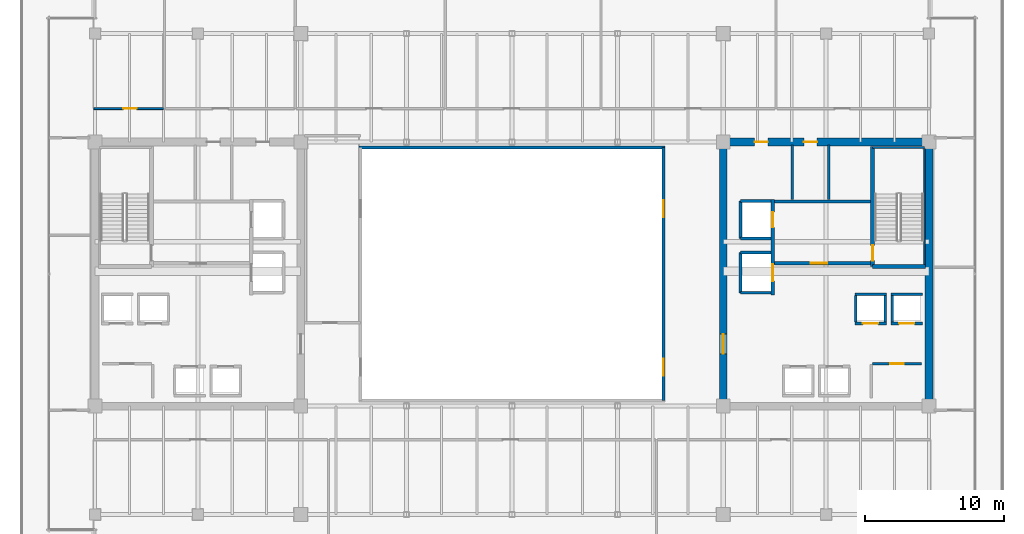
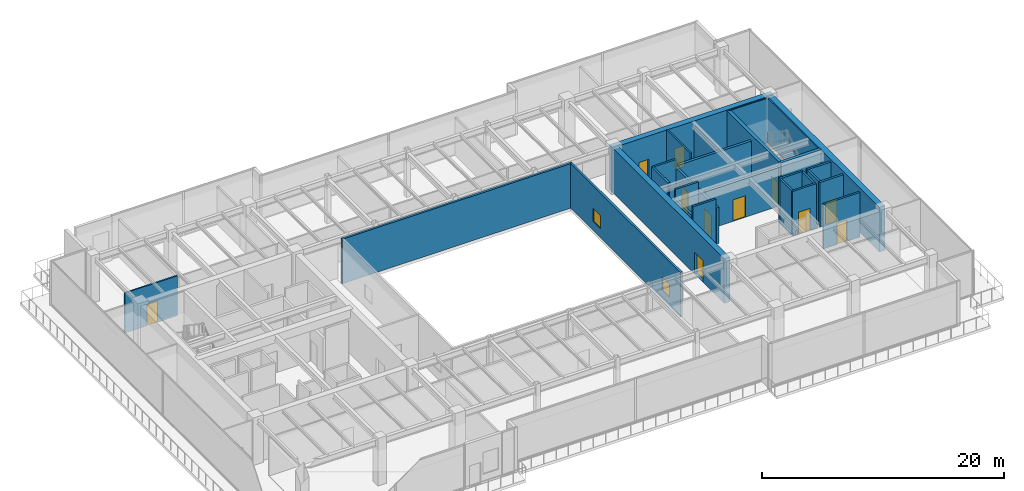
# One storey, part 30 of 37: 29 walls, 11 doors, 2 windows, 13 openings.
"""IFC4 building model written with IfcOpenShell, lengths in metres."""

from ifc_helpers import new_model, si_unit, direction, frame, frame_2d, origin, place, context, subcontext, project, spatial, rectangle, extrude, source, transform, mapped, material, layer, layer_set, type_object, type_shapes, element, fill, save


model = new_model("IFC4")

# Units and contexts
model_context = context("Model", 3, precision=1e-05, world=origin(), true_north=direction((0.0, 1.0)))
body_context = subcontext(model_context, "Body", "Model", "MODEL_VIEW")
ifc_project = project(units=[si_unit("LENGTHUNIT", "METRE"), si_unit("AREAUNIT", "SQUARE_METRE"), si_unit("VOLUMEUNIT", "CUBIC_METRE"), si_unit("PLANEANGLEUNIT", "RADIAN"), si_unit("MASSUNIT", "GRAM", prefix="KILO")], contexts=[model_context])

# Site, building, storey
site_placement = place(None, origin())
site = spatial("IfcSite", under=ifc_project, at=site_placement, CompositionType="ELEMENT")
building_placement = place(site_placement, origin())
building = spatial("IfcBuilding", under=site, at=building_placement, Name="Haelvirn Gate Laboratories", CompositionType="ELEMENT")
storey_placement = place(building_placement, frame((0.0, 0.0, 196.60009765625)))
storey = spatial("IfcBuildingStorey", under=building, at=storey_placement, Name="L47", CompositionType="ELEMENT", Elevation=196.60009765625)

# Wall, openings, windows
ifc_material_1 = material(Name="Tempered fire-rated borosilicate glass & anodised aluminium", Category="aluminium")
ifc_layer_1 = layer(ifc_material_1, 0.195068359375, Name="IW-GLAZ-200")
ifc_layer_set_1 = layer_set([ifc_layer_1], Name="Tempered fire-rated borosilicate glass & anodised aluminium")
wall_type_1 = type_object("IfcWallType", Name="IW-GLAZ-200", PredefinedType="SOLIDWALL", material=ifc_layer_set_1)
wall_1_placement = place(storey_placement, frame((48.300048828125, 15.199951171875, 0.0), z_axis=(0.0, 0.0, 1.0), x_axis=(0.0, 1.0, 0.0)))
wall_1 = element("IfcWall", 1, at=wall_1_placement, inside=storey, type_object=wall_type_1, Name="L47 Interior Wall IW-L47-ATRIUM-E", PredefinedType="SOLIDWALL", context=body_context, shape_type="SweptSolid", body=[
    extrude(rectangle(XDim=18.199951171875, YDim=0.195068359375, at=frame_2d((9.10009765625, 0.0))), origin(), (0.0, 0.0, 1.0), 4.5),
])
opening_1_placement = place(wall_1_placement, frame((1.800048828125, 0.0, 0.89990234375)))
opening_1 = element("IfcOpeningElement", 2, at=opening_1_placement, cuts=wall_1, Name="Opening W6", PredefinedType="OPENING", context=body_context, shape_type="SweptSolid", body=[
    extrude(rectangle(XDim=1.199951171875, YDim=1.35009765625, at=frame_2d((0.60009765625, 0.675048828125))), frame((0.0, 0.107421875, 0.0), z_axis=(0.0, -1.0, 0.0), x_axis=(1.0, 0.0, 0.0)), (0.0, 0.0, 1.0), 0.215087890625),
])
opening_2_placement = place(wall_1_placement, frame((13.199951171875, 0.0, 0.89990234375)))
opening_2 = element("IfcOpeningElement", 3, at=opening_2_placement, cuts=wall_1, Name="Opening W6", PredefinedType="OPENING", context=body_context, shape_type="SweptSolid", body=[
    extrude(rectangle(XDim=1.199951171875, YDim=1.35009765625, at=frame_2d((0.60009765625, 0.675048828125))), frame((0.0, 0.107421875, 0.0), z_axis=(0.0, -1.0, 0.0), x_axis=(1.0, 0.0, 0.0)), (0.0, 0.0, 1.0), 0.215087890625),
])
ifc_material_2 = material(Name="Fire-rated EI 120 borosilicate atrium vision glazing", Category="glass")
window_type = type_object("IfcWindowType", Name="WN-ATR-1200", PartitioningType="SINGLE_PANEL", PredefinedType="WINDOW", material=ifc_material_2)
shared_shape_1 = source(origin(), body_context, "Body", "SweptSolid", [
    extrude(rectangle(XDim=1.199951171875, YDim=1.35009765625, at=frame_2d((0.60009765625, 0.675048828125))), frame((0.0, 0.030029296875, 0.0), z_axis=(0.0, -1.0, 0.0), x_axis=(1.0, 0.0, 0.0)), (0.0, 0.0, 1.0), 0.06005859375),
])
type_shapes(window_type, [shared_shape_1])
window_1_placement = place(opening_1_placement, origin())
window_1 = element("IfcWindow", 4, at=window_1_placement, inside=storey, type_object=window_type, Name="L47 Atrium Observation Window 1", OverallHeight=1.35009765625, OverallWidth=1.199951171875, PartitioningType="SINGLE_PANEL", PredefinedType="WINDOW", context=body_context, shape_type="MappedRepresentation", body=[
    mapped(shared_shape_1, transform((0.0, 0.0, 0.0), scale=1.0)),
])
fill(opening_1, window_1)
window_2_placement = place(opening_2_placement, origin())
window_2 = element("IfcWindow", 5, at=window_2_placement, inside=storey, type_object=window_type, Name="L47 Atrium Observation Window 2", OverallHeight=1.35009765625, OverallWidth=1.199951171875, PartitioningType="SINGLE_PANEL", PredefinedType="WINDOW", context=body_context, shape_type="MappedRepresentation", body=[
    mapped(shared_shape_1, transform((0.0, 0.0, 0.0), scale=1.0)),
])
fill(opening_2, window_2)

# Wall
wall_2_placement = place(storey_placement, frame((26.39990234375, 33.39990234375, 0.0), z_axis=(0.0, 0.0, 1.0), x_axis=(1.0, 0.0, 0.0)))
element("IfcWall", 6, at=wall_2_placement, inside=storey, type_object=wall_type_1, Name="L47 Interior Wall IW-L47-ATRIUM-N", PredefinedType="SOLIDWALL", context=body_context, shape_type="SweptSolid", body=[
    extrude(rectangle(XDim=22.0, YDim=0.195068359375, at=frame_2d((11.0, 0.0))), origin(), (0.0, 0.0, 1.0), 4.5),
])

# Wall, opening, door
ifc_material_3 = material(Name="Acoustic mineral-wool gypsum board partition", Category="gypsum")
ifc_layer_2 = layer(ifc_material_3, 0.139892578125, Name="IW-PART-140")
ifc_layer_set_2 = layer_set([ifc_layer_2], Name="Acoustic mineral-wool gypsum board partition")
wall_type_2 = type_object("IfcWallType", Name="IW-PART-140", PredefinedType="PARTITIONING", material=ifc_layer_set_2)
wall_3_placement = place(storey_placement, frame((7.31005859375, 36.2099609375, 0.0), z_axis=(0.0, 0.0, 1.0), x_axis=(1.0, 0.0, 0.0)))
wall_3 = element("IfcWall", 7, at=wall_3_placement, inside=storey, type_object=wall_type_2, Name="L47 Interior Wall IW-L47-NCORR-01", PredefinedType="PARTITIONING", context=body_context, shape_type="SweptSolid", body=[
    extrude(rectangle(XDim=5.010009765625, YDim=0.139892578125, at=frame_2d((2.5048828125, 0.0))), origin(), (0.0, 0.0, 1.0), 4.034912109375),
])
opening_3_placement = place(wall_3_placement, frame((2.104248046875, 0.0, 0.0)))
opening_3 = element("IfcOpeningElement", 8, at=opening_3_placement, cuts=wall_3, Name="Opening D2", PredefinedType="OPENING", context=body_context, shape_type="SweptSolid", body=[
    extrude(rectangle(XDim=1.0, YDim=2.14990234375, at=frame_2d((0.5, 1.074951171875))), frame((0.0, 0.080078125, 0.0), z_axis=(0.0, -1.0, 0.0), x_axis=(1.0, 0.0, 0.0)), (0.0, 0.0, 1.0), 0.159912109375),
])
ifc_material_4 = material(Name="Acoustic solid-core timber suite door", Category="wood")
door_type_1 = type_object("IfcDoorType", Name="DR-INT-1000", OperationType="NOTDEFINED", PredefinedType="DOOR", material=ifc_material_4)
shared_shape_2 = source(origin(), body_context, "Body", "SweptSolid", [
    extrude(rectangle(XDim=1.0, YDim=2.14990234375, at=frame_2d((0.5, 1.074951171875))), frame((0.0, 0.02490234375, 0.0), z_axis=(0.0, -1.0, 0.0), x_axis=(1.0, 0.0, 0.0)), (0.0, 0.0, 1.0), 0.050048828125),
])
type_shapes(door_type_1, [shared_shape_2])
door_1_placement = place(opening_3_placement, origin())
door_1 = element("IfcDoor", 9, at=door_1_placement, inside=storey, type_object=door_type_1, Name="L47 Sky Terrace Research Commons Door N1", OperationType="SINGLE_SWING_LEFT", OverallHeight=2.14990234375, OverallWidth=1.0, PredefinedType="DOOR", context=body_context, shape_type="MappedRepresentation", body=[
    mapped(shared_shape_2, transform((0.0, 0.0, 0.0), scale=1.0)),
])
fill(opening_3, door_1)

# Walls
ifc_material_5 = material(Name="Cement-board restroom plumbing chase wall", Category="gypsum")
ifc_layer_3 = layer(ifc_material_5, 0.155029296875, Name="IW-PLUMB-160")
ifc_layer_set_3 = layer_set([ifc_layer_3], Name="Cement-board restroom plumbing chase wall")
wall_type_3 = type_object("IfcWallType", Name="IW-PLUMB-160", PredefinedType="PLUMBINGWALL", material=ifc_layer_set_3)
wall_4_placement = place(storey_placement, frame((60.18994140625, 29.64990234375, 0.0), z_axis=(0.0, 0.0, 1.0), x_axis=(0.0, 1.0, 0.0)))
element("IfcWall", 10, at=wall_4_placement, inside=storey, type_object=wall_type_3, Name="L47 Interior Wall IW-L47-E-CDIV-0", PredefinedType="PLUMBINGWALL", context=body_context, shape_type="SweptSolid", body=[
    extrude(rectangle(XDim=3.93017578125, YDim=0.155029296875, at=frame_2d((1.965087890625, 0.0))), origin(), (0.0, 0.0, 1.0), 3.89697265625),
])
wall_5_placement = place(storey_placement, frame((57.56005859375, 29.64990234375, 0.0), z_axis=(0.0, 0.0, 1.0), x_axis=(0.0, 1.0, 0.0)))
element("IfcWall", 11, at=wall_5_placement, inside=storey, type_object=wall_type_3, Name="L47 Interior Wall IW-L47-E-CDIV-1", PredefinedType="PLUMBINGWALL", context=body_context, shape_type="SweptSolid", body=[
    extrude(rectangle(XDim=3.93017578125, YDim=0.155029296875, at=frame_2d((1.965087890625, 0.0))), origin(), (0.0, 0.0, 1.0), 4.5),
])
ifc_material_6 = material(Name="Concrete C40/50", Category="concrete")
ifc_layer_4 = layer(ifc_material_6, 0.179931640625, Name="IW-SHAFT-180")
ifc_layer_set_4 = layer_set([ifc_layer_4], Name="Concrete C40/50")
wall_type_4 = type_object("IfcWallType", Name="IW-SHAFT-180", PredefinedType="SOLIDWALL", material=ifc_layer_set_4)
for number, where, z_axis, x_axis, name in (
    (12, (64.75, 20.85009765625, 0.0), (0.0, 0.0, 1.0), (0.0, 1.0, 0.0), "L47 Interior Wall IW-L47-PL11-SD"),
    (13, (62.14990234375, 20.85009765625, 0.0), (0.0, 0.0, 1.0), (0.0, 1.0, 0.0), "L47 Interior Wall IW-L47-PL12-SD"),
    (14, (64.25, 20.85009765625, 0.0), (0.0, 0.0, 1.0), (0.0, 1.0, 0.0), "L47 Interior Wall IW-L47-PL12-SDE"),
):
    element("IfcWall", number, at=place(storey_placement, frame(where, z_axis=z_axis, x_axis=x_axis)), inside=storey, type_object=wall_type_4, Name=name, PredefinedType="SOLIDWALL", context=body_context, shape_type="SweptSolid", body=[
        extrude(rectangle(XDim=1.89990234375, YDim=0.179931640625, at=frame_2d((0.949951171875, 0.0))), origin(), (0.0, 0.0, 1.0), 4.5),
    ])

# Wall, opening, door
wall_6_placement = place(storey_placement, frame((63.35009765625, 17.85009765625, 0.0), z_axis=(0.0, 0.0, 1.0), x_axis=(1.0, 0.0, 0.0)))
wall_6 = element("IfcWall", 15, at=wall_6_placement, inside=storey, type_object=wall_type_4, Name="L47 Interior Wall IW-L47-E-FREED-LN-1", PredefinedType="SOLIDWALL", context=body_context, shape_type="SweptSolid", body=[
    extrude(rectangle(XDim=3.5, YDim=0.179931640625, at=frame_2d((1.75, 0.0))), origin(), (0.0, 0.0, 1.0), 4.5),
])
opening_4_placement = place(wall_6_placement, frame((1.27490234375, 0.0, 0.0)))
opening_4 = element("IfcOpeningElement", 16, at=opening_4_placement, cuts=wall_6, Name="Opening FD4", PredefinedType="OPENING", context=body_context, shape_type="SweptSolid", body=[
    extrude(rectangle(XDim=0.949951171875, YDim=2.14990234375, at=frame_2d((0.47509765625, 1.074951171875))), frame((0.0, 0.10009765625, 0.0), z_axis=(0.0, -1.0, 0.0), x_axis=(1.0, 0.0, 0.0)), (0.0, 0.0, 1.0), 0.199951171875),
])
ifc_material_7 = material(Name="Fire-rated steel SM355 core service door", Category="steel")
door_type_2 = type_object("IfcDoorType", Name="DR-FD-950", OperationType="NOTDEFINED", PredefinedType="DOOR", material=ifc_material_7)
shared_shape_3 = source(origin(), body_context, "Body", "SweptSolid", [
    extrude(rectangle(XDim=0.949951171875, YDim=2.14990234375, at=frame_2d((0.47509765625, 1.074951171875))), frame((0.0, 0.02490234375, 0.0), z_axis=(0.0, -1.0, 0.0), x_axis=(1.0, 0.0, 0.0)), (0.0, 0.0, 1.0), 0.050048828125),
])
type_shapes(door_type_2, [shared_shape_3])
door_2_placement = place(opening_4_placement, origin())
door_2 = element("IfcDoor", 17, at=door_2_placement, inside=storey, type_object=door_type_2, Name="L47 Core Calibration Room Door", OperationType="SINGLE_SWING_LEFT", OverallHeight=2.14990234375, OverallWidth=0.949951171875, PredefinedType="DOOR", context=body_context, shape_type="MappedRepresentation", body=[
    mapped(shared_shape_3, transform((0.0, 0.0, 0.0), scale=1.0)),
])
fill(opening_4, door_2)

ifc_layer_5 = layer(ifc_material_6, 0.199951171875, Name="IW-SHAFT-200")
ifc_layer_set_5 = layer_set([ifc_layer_5], Name="Concrete C40/50")
wall_type_5 = type_object("IfcWallType", Name="IW-SHAFT-200", PredefinedType="SOLIDWALL", material=ifc_layer_set_5)
wall_7_placement = place(storey_placement, frame((64.669921875, 20.75, 0.0), z_axis=(0.0, 0.0, 1.0), x_axis=(1.0, 0.0, 0.0)))
wall_7 = element("IfcWall", 18, at=wall_7_placement, inside=storey, type_object=wall_type_5, Name="L47 Interior Wall IW-L47-PL11-FR", PredefinedType="SOLIDWALL", context=body_context, shape_type="SweptSolid", body=[
    extrude(rectangle(XDim=2.260009765625, YDim=0.199951171875, at=frame_2d((1.1298828125, 0.0))), origin(), (0.0, 0.0, 1.0), 4.5),
])
opening_5_placement = place(wall_7_placement, frame((0.580078125, 0.0, 0.0)))
opening_5 = element("IfcOpeningElement", 19, at=opening_5_placement, cuts=wall_7, Name="Opening LD2", PredefinedType="OPENING", context=body_context, shape_type="SweptSolid", body=[
    extrude(rectangle(XDim=1.10009765625, YDim=2.219970703125, at=frame_2d((0.550048828125, 1.10986328125))), frame((0.0, 0.10986328125, 0.0), z_axis=(0.0, -1.0, 0.0), x_axis=(1.0, 0.0, 0.0)), (0.0, 0.0, 1.0), 0.219970703125),
])
ifc_material_8 = material(Name="Bronze stainless 316L sliding lift landing door")
door_type_3 = type_object("IfcDoorType", Name="DR-LD-1100", OperationType="NOTDEFINED", PredefinedType="USERDEFINED", material=ifc_material_8)
shared_shape_4 = source(origin(), body_context, "Body", "SweptSolid", [
    extrude(rectangle(XDim=1.10009765625, YDim=2.219970703125, at=frame_2d((0.550048828125, 1.10986328125))), frame((0.0, 0.02490234375, 0.0), z_axis=(0.0, -1.0, 0.0), x_axis=(1.0, 0.0, 0.0)), (0.0, 0.0, 1.0), 0.050048828125),
])
type_shapes(door_type_3, [shared_shape_4])
door_3_placement = place(opening_5_placement, origin())
door_3 = element("IfcDoor", 20, at=door_3_placement, inside=storey, type_object=door_type_3, Name="L47 Passenger Lift PL11 Landing Door", ObjectType="LANDING_DOOR", OperationType="SLIDING_TO_LEFT", OverallHeight=2.219970703125, OverallWidth=1.10009765625, PredefinedType="USERDEFINED", context=body_context, shape_type="MappedRepresentation", body=[
    mapped(shared_shape_4, transform((0.0, 0.0, 0.0), scale=1.0)),
])
fill(opening_5, door_3)

# Wall
wall_8_placement = place(storey_placement, frame((64.669921875, 22.85009765625, 0.0), z_axis=(0.0, 0.0, 1.0), x_axis=(1.0, 0.0, 0.0)))
element("IfcWall", 21, at=wall_8_placement, inside=storey, type_object=wall_type_5, Name="L47 Interior Wall IW-L47-PL11-BK", PredefinedType="SOLIDWALL", context=body_context, shape_type="SweptSolid", body=[
    extrude(rectangle(XDim=2.260009765625, YDim=0.199951171875, at=frame_2d((1.1298828125, 0.0))), origin(), (0.0, 0.0, 1.0), 4.5),
])

# Wall, opening, door
wall_9_placement = place(storey_placement, frame((62.070068359375, 20.75, 0.0), z_axis=(0.0, 0.0, 1.0), x_axis=(1.0, 0.0, 0.0)))
wall_9 = element("IfcWall", 22, at=wall_9_placement, inside=storey, type_object=wall_type_5, Name="L47 Interior Wall IW-L47-PL12-FR", PredefinedType="SOLIDWALL", context=body_context, shape_type="SweptSolid", body=[
    extrude(rectangle(XDim=2.260009765625, YDim=0.199951171875, at=frame_2d((1.1298828125, 0.0))), origin(), (0.0, 0.0, 1.0), 4.5),
])
opening_6_placement = place(wall_9_placement, frame((0.580078125, 0.0, 0.0)))
opening_6 = element("IfcOpeningElement", 23, at=opening_6_placement, cuts=wall_9, Name="Opening LD2", PredefinedType="OPENING", context=body_context, shape_type="SweptSolid", body=[
    extrude(rectangle(XDim=1.10009765625, YDim=2.219970703125, at=frame_2d((0.550048828125, 1.10986328125))), frame((0.0, 0.10986328125, 0.0), z_axis=(0.0, -1.0, 0.0), x_axis=(1.0, 0.0, 0.0)), (0.0, 0.0, 1.0), 0.219970703125),
])
door_4_placement = place(opening_6_placement, origin())
door_4 = element("IfcDoor", 24, at=door_4_placement, inside=storey, type_object=door_type_3, Name="L47 Passenger Lift PL12 Landing Door", ObjectType="LANDING_DOOR", OperationType="SLIDING_TO_RIGHT", OverallHeight=2.219970703125, OverallWidth=1.10009765625, PredefinedType="USERDEFINED", context=body_context, shape_type="MappedRepresentation", body=[
    mapped(shared_shape_4, transform((0.0, 0.0, 0.0), scale=1.0)),
])
fill(opening_6, door_4)

# Walls
wall_10_placement = place(storey_placement, frame((62.070068359375, 22.85009765625, 0.0), z_axis=(0.0, 0.0, 1.0), x_axis=(1.0, 0.0, 0.0)))
element("IfcWall", 25, at=wall_10_placement, inside=storey, type_object=wall_type_5, Name="L47 Interior Wall IW-L47-PL12-BK", PredefinedType="SOLIDWALL", context=body_context, shape_type="SweptSolid", body=[
    extrude(rectangle(XDim=2.260009765625, YDim=0.199951171875, at=frame_2d((1.1298828125, 0.0))), origin(), (0.0, 0.0, 1.0), 4.5),
])
wall_11_placement = place(storey_placement, frame((53.85009765625, 26.85009765625, 0.0), z_axis=(0.0, 0.0, 1.0), x_axis=(0.0, 1.0, 0.0)))
element("IfcWall", 26, at=wall_11_placement, inside=storey, type_object=wall_type_5, Name="L47 Interior Wall IW-L47-FL2-BK", PredefinedType="SOLIDWALL", context=body_context, shape_type="SweptSolid", body=[
    extrude(rectangle(XDim=2.699951171875, YDim=0.199951171875, at=frame_2d((1.35009765625, 0.0))), origin(), (0.0, 0.0, 1.0), 4.5),
])
wall_12_placement = place(storey_placement, frame((53.85009765625, 29.550048828125, 0.0), z_axis=(0.0, 0.0, 1.0), x_axis=(1.0, 0.0, 0.0)))
element("IfcWall", 27, at=wall_12_placement, inside=storey, type_object=wall_type_5, Name="L47 Interior Wall IW-L47-FL2-N", PredefinedType="SOLIDWALL", context=body_context, shape_type="SweptSolid", body=[
    extrude(rectangle(XDim=2.18994140625, YDim=0.199951171875, at=frame_2d((1.094970703125, 0.0))), origin(), (0.0, 0.0, 1.0), 4.5),
])
wall_13_placement = place(storey_placement, frame((53.85009765625, 26.85009765625, 0.0), z_axis=(0.0, 0.0, 1.0), x_axis=(1.0, 0.0, 0.0)))
element("IfcWall", 28, at=wall_13_placement, inside=storey, type_object=wall_type_5, Name="L47 Interior Wall IW-L47-FL2-S", PredefinedType="SOLIDWALL", context=body_context, shape_type="SweptSolid", body=[
    extrude(rectangle(XDim=2.18994140625, YDim=0.199951171875, at=frame_2d((1.094970703125, 0.0))), origin(), (0.0, 0.0, 1.0), 3.89697265625),
])
wall_14_placement = place(storey_placement, frame((53.85009765625, 22.949951171875, 0.0), z_axis=(0.0, 0.0, 1.0), x_axis=(0.0, 1.0, 0.0)))
element("IfcWall", 29, at=wall_14_placement, inside=storey, type_object=wall_type_5, Name="L47 Interior Wall IW-L47-SL2-BK", PredefinedType="SOLIDWALL", context=body_context, shape_type="SweptSolid", body=[
    extrude(rectangle(XDim=2.900146484375, YDim=0.199951171875, at=frame_2d((1.4501953125, 0.0))), origin(), (0.0, 0.0, 1.0), 3.635009765625),
])
for number, where, z_axis, x_axis, name in (
    (30, (53.85009765625, 25.85009765625, 0.0), (0.0, 0.0, 1.0), (1.0, 0.0, 0.0), "L47 Interior Wall IW-L47-SL2-N"),
    (31, (53.85009765625, 22.949951171875, 0.0), (0.0, 0.0, 1.0), (1.0, 0.0, 0.0), "L47 Interior Wall IW-L47-SL2-S"),
):
    element("IfcWall", number, at=place(storey_placement, frame(where, z_axis=z_axis, x_axis=x_axis)), inside=storey, type_object=wall_type_5, Name=name, PredefinedType="SOLIDWALL", context=body_context, shape_type="SweptSolid", body=[
        extrude(rectangle(XDim=2.18994140625, YDim=0.199951171875, at=frame_2d((1.094970703125, 0.0))), origin(), (0.0, 0.0, 1.0), 4.5),
    ])

# Wall, opening, door
ifc_layer_6 = layer(ifc_material_6, 0.239990234375, Name="IW-SHAFT-240")
ifc_layer_set_6 = layer_set([ifc_layer_6], Name="Concrete C40/50")
wall_type_6 = type_object("IfcWallType", Name="IW-SHAFT-240", PredefinedType="SOLIDWALL", material=ifc_layer_set_6)
wall_15_placement = place(storey_placement, frame((56.280029296875, 25.080078125, 0.0), z_axis=(0.0, 0.0, 1.0), x_axis=(1.0, 0.0, 0.0)))
wall_15 = element("IfcWall", 32, at=wall_15_placement, inside=storey, type_object=wall_type_6, Name="L47 Interior Wall IW-L47-E-FF-S", PredefinedType="SOLIDWALL", context=body_context, shape_type="SweptSolid", body=[
    extrude(rectangle(XDim=6.919921875, YDim=0.239990234375, at=frame_2d((3.4599609375, 0.0))), origin(), (0.0, 0.0, 1.0), 3.89697265625),
])
opening_7_placement = place(wall_15_placement, frame((2.60009765625, 0.0, 0.0)))
opening_7 = element("IfcOpeningElement", 33, at=opening_7_placement, cuts=wall_15, Name="Opening FD2", PredefinedType="OPENING", context=body_context, shape_type="SweptSolid", body=[
    extrude(rectangle(XDim=1.199951171875, YDim=2.159912109375, at=frame_2d((0.60009765625, 1.080078125))), frame((0.0, 0.1298828125, 0.0), z_axis=(0.0, -1.0, 0.0), x_axis=(1.0, 0.0, 0.0)), (0.0, 0.0, 1.0), 0.260009765625),
])
ifc_material_9 = material(Name="Fire-rated steel SM355 compartment door", Category="steel")
door_type_4 = type_object("IfcDoorType", Name="DR-FD-1200", OperationType="NOTDEFINED", PredefinedType="DOOR", material=ifc_material_9)
shared_shape_5 = source(origin(), body_context, "Body", "SweptSolid", [
    extrude(rectangle(XDim=1.199951171875, YDim=2.159912109375, at=frame_2d((0.60009765625, 1.080078125))), frame((0.0, 0.02490234375, 0.0), z_axis=(0.0, -1.0, 0.0), x_axis=(1.0, 0.0, 0.0)), (0.0, 0.0, 1.0), 0.050048828125),
])
type_shapes(door_type_4, [shared_shape_5])
door_5_placement = place(opening_7_placement, origin())
door_5 = element("IfcDoor", 34, at=door_5_placement, inside=storey, type_object=door_type_4, Name="L47 East Firefighting Lobby Door", OperationType="SINGLE_SWING_LEFT", OverallHeight=2.159912109375, OverallWidth=1.199951171875, PredefinedType="DOOR", context=body_context, shape_type="MappedRepresentation", body=[
    mapped(shared_shape_5, transform((0.0, 0.0, 0.0), scale=1.0)),
])
fill(opening_7, door_5)

# Wall
wall_16_placement = place(storey_placement, frame((56.280029296875, 29.52001953125, 0.0), z_axis=(0.0, 0.0, 1.0), x_axis=(1.0, 0.0, 0.0)))
element("IfcWall", 35, at=wall_16_placement, inside=storey, type_object=wall_type_6, Name="L47 Interior Wall IW-L47-E-FF-N", PredefinedType="SOLIDWALL", context=body_context, shape_type="SweptSolid", body=[
    extrude(rectangle(XDim=6.919921875, YDim=0.239990234375, at=frame_2d((3.4599609375, 0.0))), origin(), (0.0, 0.0, 1.0), 3.89697265625),
])

# Wall, openings, doors
wall_17_placement = place(storey_placement, frame((56.159912109375, 22.800048828125, 0.0), z_axis=(0.0, 0.0, 1.0), x_axis=(0.0, 1.0, 0.0)))
wall_17 = element("IfcWall", 36, at=wall_17_placement, inside=storey, type_object=wall_type_6, Name="L47 Interior Wall IW-L47-E-FF-E", PredefinedType="SOLIDWALL", context=body_context, shape_type="SweptSolid", body=[
    extrude(rectangle(XDim=6.849853515625, YDim=0.239990234375, at=frame_2d((3.4248046875, 0.0))), origin(), (0.0, 0.0, 1.0), 3.635009765625),
])
opening_8_placement = place(wall_17_placement, frame((4.85009765625, 0.0, 0.0)))
opening_8 = element("IfcOpeningElement", 37, at=opening_8_placement, cuts=wall_17, Name="Opening LD2", PredefinedType="OPENING", context=body_context, shape_type="SweptSolid", body=[
    extrude(rectangle(XDim=1.10009765625, YDim=2.219970703125, at=frame_2d((0.550048828125, 1.10986328125))), frame((0.0, 0.1298828125, 0.0), z_axis=(0.0, -1.0, 0.0), x_axis=(1.0, 0.0, 0.0)), (0.0, 0.0, 1.0), 0.260009765625),
])
opening_9_placement = place(wall_17_placement, frame((1.0, 0.0, 0.0)))
opening_9 = element("IfcOpeningElement", 38, at=opening_9_placement, cuts=wall_17, Name="Opening LD1", PredefinedType="OPENING", context=body_context, shape_type="SweptSolid", body=[
    extrude(rectangle(XDim=1.199951171875, YDim=2.219970703125, at=frame_2d((0.60009765625, 1.10986328125))), frame((0.0, 0.1298828125, 0.0), z_axis=(0.0, -1.0, 0.0), x_axis=(1.0, 0.0, 0.0)), (0.0, 0.0, 1.0), 0.260009765625),
])
door_6_placement = place(opening_8_placement, origin())
door_6 = element("IfcDoor", 39, at=door_6_placement, inside=storey, type_object=door_type_3, Name="L47 Firefighting Lift FL2 Landing Door", ObjectType="LANDING_DOOR", OperationType="SLIDING_TO_RIGHT", OverallHeight=2.219970703125, OverallWidth=1.10009765625, PredefinedType="USERDEFINED", context=body_context, shape_type="MappedRepresentation", body=[
    mapped(shared_shape_4, transform((0.0, 0.0, 0.0), scale=1.0)),
])
fill(opening_8, door_6)
ifc_material_10 = material(Name="Stainless steel 316L sliding goods landing door", Category="steel")
door_type_5 = type_object("IfcDoorType", Name="DR-LD-1200", OperationType="NOTDEFINED", PredefinedType="USERDEFINED", material=ifc_material_10)
shared_shape_6 = source(origin(), body_context, "Body", "SweptSolid", [
    extrude(rectangle(XDim=1.199951171875, YDim=2.219970703125, at=frame_2d((0.60009765625, 1.10986328125))), frame((0.0, 0.02490234375, 0.0), z_axis=(0.0, -1.0, 0.0), x_axis=(1.0, 0.0, 0.0)), (0.0, 0.0, 1.0), 0.050048828125),
])
type_shapes(door_type_5, [shared_shape_6])
door_7_placement = place(opening_9_placement, origin())
door_7 = element("IfcDoor", 40, at=door_7_placement, inside=storey, type_object=door_type_5, Name="L47 Service Lift SL2 Landing Door", ObjectType="LANDING_DOOR", OperationType="SLIDING_TO_LEFT", OverallHeight=2.219970703125, OverallWidth=1.199951171875, PredefinedType="USERDEFINED", context=body_context, shape_type="MappedRepresentation", body=[
    mapped(shared_shape_6, transform((0.0, 0.0, 0.0), scale=1.0)),
])
fill(opening_9, door_7)

ifc_material_11 = material(Name="Concrete C50/60", Category="concrete")
ifc_layer_7 = layer(ifc_material_11, 0.550048828125, Name="SW-CORE-550")
ifc_layer_set_7 = layer_set([ifc_layer_7], Name="Concrete C50/60")
wall_type_7 = type_object("IfcWallType", Name="SW-CORE-550", PredefinedType="SHEAR", material=ifc_layer_set_7)
wall_18_placement = place(storey_placement, frame((52.324951171875, 33.800048828125, 0.0), z_axis=(0.0, 0.0, 1.0), x_axis=(1.0, 0.0, 0.0)))
wall_18 = element("IfcWall", 41, at=wall_18_placement, inside=storey, type_object=wall_type_7, Name="L47 E Core Shear Wall N", PredefinedType="SHEAR", context=body_context, shape_type="SweptSolid", body=[
    extrude(rectangle(XDim=15.35009765625, YDim=0.550048828125, at=frame_2d((7.675048828125, 0.0))), origin(), (0.0, 0.0, 1.0), 4.5),
])
opening_10_placement = place(wall_18_placement, frame((6.074951171875, 0.0, 0.0)))
opening_10 = element("IfcOpeningElement", 42, at=opening_10_placement, cuts=wall_18, Name="Opening FD4", PredefinedType="OPENING", context=body_context, shape_type="SweptSolid", body=[
    extrude(rectangle(XDim=0.949951171875, YDim=2.14990234375, at=frame_2d((0.47509765625, 1.074951171875))), frame((0.0, 0.28515625, 0.0), z_axis=(0.0, -1.0, 0.0), x_axis=(1.0, 0.0, 0.0)), (0.0, 0.0, 1.0), 0.570068359375),
])
opening_11_placement = place(wall_18_placement, frame((2.534912109375, 0.0, 0.0)))
opening_11 = element("IfcOpeningElement", 43, at=opening_11_placement, cuts=wall_18, Name="Opening FD4", PredefinedType="OPENING", context=body_context, shape_type="SweptSolid", body=[
    extrude(rectangle(XDim=0.949951171875, YDim=2.14990234375, at=frame_2d((0.47509765625, 1.074951171875))), frame((0.0, 0.28515625, 0.0), z_axis=(0.0, -1.0, 0.0), x_axis=(1.0, 0.0, 0.0)), (0.0, 0.0, 1.0), 0.570068359375),
])
door_8_placement = place(opening_10_placement, origin())
door_8 = element("IfcDoor", 44, at=door_8_placement, inside=storey, type_object=door_type_2, Name="L47 Accessible Restroom Fire Door", OperationType="SINGLE_SWING_RIGHT", OverallHeight=2.14990234375, OverallWidth=0.949951171875, PredefinedType="DOOR", context=body_context, shape_type="MappedRepresentation", body=[
    mapped(shared_shape_3, transform((0.0, 0.0, 0.0), scale=1.0)),
])
fill(opening_10, door_8)
door_9_placement = place(opening_11_placement, origin())
door_9 = element("IfcDoor", 45, at=door_9_placement, inside=storey, type_object=door_type_2, Name="L47 Staff Restroom Fire Door", OperationType="SINGLE_SWING_LEFT", OverallHeight=2.14990234375, OverallWidth=0.949951171875, PredefinedType="DOOR", context=body_context, shape_type="MappedRepresentation", body=[
    mapped(shared_shape_3, transform((0.0, 0.0, 0.0), scale=1.0)),
])
fill(opening_11, door_9)

# Wall, opening, door
wall_19_placement = place(storey_placement, frame((52.60009765625, 15.074951171875, 0.0), z_axis=(0.0, 0.0, 1.0), x_axis=(0.0, 1.0, 0.0)))
wall_19 = element("IfcWall", 46, at=wall_19_placement, inside=storey, type_object=wall_type_7, Name="L47 E Core Shear Wall W", PredefinedType="SHEAR", context=body_context, shape_type="SweptSolid", body=[
    extrude(rectangle(XDim=18.449951171875, YDim=0.550048828125, at=frame_2d((9.22509765625, 0.0))), origin(), (0.0, 0.0, 1.0), 4.5),
])
opening_12_placement = place(wall_19_placement, frame((3.47509765625, 0.0, 0.0)))
opening_12 = element("IfcOpeningElement", 47, at=opening_12_placement, cuts=wall_19, Name="Opening FD1", PredefinedType="OPENING", context=body_context, shape_type="SweptSolid", body=[
    extrude(rectangle(XDim=1.419921875, YDim=2.199951171875, at=frame_2d((0.7099609375, 1.10009765625))), frame((0.0, 0.28515625, 0.0), z_axis=(0.0, -1.0, 0.0), x_axis=(1.0, 0.0, 0.0)), (0.0, 0.0, 1.0), 0.570068359375),
])
ifc_material_12 = material(Name="Fire-rated double steel SM355 lobby door", Category="steel")
door_type_6 = type_object("IfcDoorType", Name="DR-FD-1400", OperationType="NOTDEFINED", PredefinedType="DOOR", material=ifc_material_12)
shared_shape_7 = source(origin(), body_context, "Body", "SweptSolid", [
    extrude(rectangle(XDim=1.419921875, YDim=2.199951171875, at=frame_2d((0.7099609375, 1.10009765625))), frame((0.0, 0.02490234375, 0.0), z_axis=(0.0, -1.0, 0.0), x_axis=(1.0, 0.0, 0.0)), (0.0, 0.0, 1.0), 0.050048828125),
])
type_shapes(door_type_6, [shared_shape_7])
door_10_placement = place(opening_12_placement, origin())
door_10 = element("IfcDoor", 48, at=door_10_placement, inside=storey, type_object=door_type_6, Name="L47 East Core Lift Lobby Fire Door", OperationType="DOUBLE_DOOR_SINGLE_SWING", OverallHeight=2.199951171875, OverallWidth=1.419921875, PredefinedType="DOOR", context=body_context, shape_type="MappedRepresentation", body=[
    mapped(shared_shape_7, transform((0.0, 0.0, 0.0), scale=1.0)),
])
fill(opening_12, door_10)

# Walls
wall_20_placement = place(storey_placement, frame((67.39990234375, 15.074951171875, 0.0), z_axis=(0.0, 0.0, 1.0), x_axis=(0.0, 1.0, 0.0)))
element("IfcWall", 49, at=wall_20_placement, inside=storey, type_object=wall_type_7, Name="L47 E Core Shear Wall E", PredefinedType="SHEAR", context=body_context, shape_type="SweptSolid", body=[
    extrude(rectangle(XDim=18.449951171875, YDim=0.550048828125, at=frame_2d((9.22509765625, 0.0))), origin(), (0.0, 0.0, 1.0), 4.5),
])
ifc_layer_8 = layer(ifc_material_11, 0.1201171875, Name="SW-LINER-120")
ifc_layer_set_8 = layer_set([ifc_layer_8], Name="Concrete C50/60")
wall_type_8 = type_object("IfcWallType", Name="SW-LINER-120", PredefinedType="SOLIDWALL", material=ifc_layer_set_8)
wall_21_placement = place(storey_placement, frame((63.35009765625, 33.39990234375, 0.0), z_axis=(0.0, 0.0, 1.0), x_axis=(1.0, 0.0, 0.0)))
element("IfcWall", 50, at=wall_21_placement, inside=storey, type_object=wall_type_8, Name="L47 E Core Stair Shaft Liner Wall N", PredefinedType="SOLIDWALL", context=body_context, shape_type="SweptSolid", body=[
    extrude(rectangle(XDim=3.719970703125, YDim=0.1201171875, at=frame_2d((1.85986328125, 0.0))), origin(), (0.0, 0.0, 1.0), 4.5),
])
wall_22_placement = place(storey_placement, frame((67.070068359375, 25.0, 0.0), z_axis=(0.0, 0.0, 1.0), x_axis=(0.0, 1.0, 0.0)))
element("IfcWall", 51, at=wall_22_placement, inside=storey, type_object=wall_type_8, Name="L47 E Core Stair Shaft Liner Wall OUT", PredefinedType="SOLIDWALL", context=body_context, shape_type="SweptSolid", body=[
    extrude(rectangle(XDim=8.320068359375, YDim=0.1201171875, at=frame_2d((4.16015625, 0.0))), origin(), (0.0, 0.0, 1.0), 4.5),
])

# Wall, opening, door
ifc_layer_9 = layer(ifc_material_11, 0.300048828125, Name="SW-STAIR-300")
ifc_layer_set_9 = layer_set([ifc_layer_9], Name="Concrete C50/60")
wall_type_9 = type_object("IfcWallType", Name="SW-STAIR-300", PredefinedType="SHEAR", material=ifc_layer_set_9)
wall_23_placement = place(storey_placement, frame((63.35009765625, 24.85009765625, 0.0), z_axis=(0.0, 0.0, 1.0), x_axis=(0.0, 1.0, 0.0)))
wall_23 = element("IfcWall", 52, at=wall_23_placement, inside=storey, type_object=wall_type_9, Name="L47 E Core Stair Shaft Structural Wall IN", PredefinedType="SHEAR", context=body_context, shape_type="SweptSolid", body=[
    extrude(rectangle(XDim=8.6298828125, YDim=0.300048828125, at=frame_2d((4.31494140625, 0.0))), origin(), (0.0, 0.0, 1.0), 4.5),
])
opening_13_placement = place(wall_23_placement, frame((0.419921875, 0.0, 0.0)))
opening_13 = element("IfcOpeningElement", 53, at=opening_13_placement, cuts=wall_23, Name="Opening FD3", PredefinedType="OPENING", context=body_context, shape_type="SweptSolid", body=[
    extrude(rectangle(XDim=1.10009765625, YDim=2.14990234375, at=frame_2d((0.550048828125, 1.074951171875))), frame((0.0, 0.16015625, 0.0), z_axis=(0.0, -1.0, 0.0), x_axis=(1.0, 0.0, 0.0)), (0.0, 0.0, 1.0), 0.320068359375),
])
ifc_material_13 = material(Name="Fire-rated steel SM355 escape stair door", Category="steel")
door_type_7 = type_object("IfcDoorType", Name="DR-FD-1100", OperationType="NOTDEFINED", PredefinedType="DOOR", material=ifc_material_13)
shared_shape_8 = source(origin(), body_context, "Body", "SweptSolid", [
    extrude(rectangle(XDim=1.10009765625, YDim=2.14990234375, at=frame_2d((0.550048828125, 1.074951171875))), frame((0.0, 0.02490234375, 0.0), z_axis=(0.0, -1.0, 0.0), x_axis=(1.0, 0.0, 0.0)), (0.0, 0.0, 1.0), 0.050048828125),
])
type_shapes(door_type_7, [shared_shape_8])
door_11_placement = place(opening_13_placement, origin())
door_11 = element("IfcDoor", 54, at=door_11_placement, inside=storey, type_object=door_type_7, Name="L47 Escape Stair ST2 Fire Door", OperationType="SINGLE_SWING_RIGHT", OverallHeight=2.14990234375, OverallWidth=1.10009765625, PredefinedType="DOOR", context=body_context, shape_type="MappedRepresentation", body=[
    mapped(shared_shape_8, transform((0.0, 0.0, 0.0), scale=1.0)),
])
fill(opening_13, door_11)

# Wall
wall_24_placement = place(storey_placement, frame((63.35009765625, 24.85009765625, 0.0), z_axis=(0.0, 0.0, 1.0), x_axis=(1.0, 0.0, 0.0)))
element("IfcWall", 55, at=wall_24_placement, inside=storey, type_object=wall_type_9, Name="L47 E Core Stair Shaft Structural Wall S", PredefinedType="SHEAR", context=body_context, shape_type="SweptSolid", body=[
    extrude(rectangle(XDim=3.7998046875, YDim=0.300048828125, at=frame_2d((1.89990234375, 0.0))), origin(), (0.0, 0.0, 1.0), 4.5),
])

save(model, "model.ifc")
